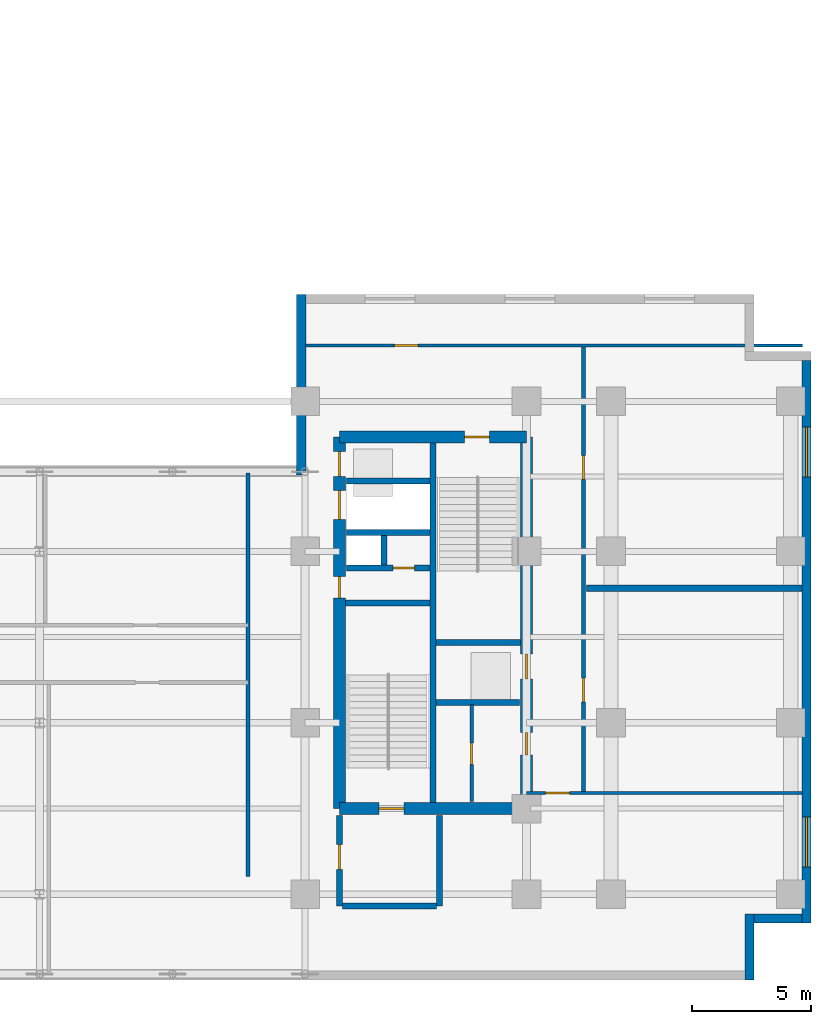
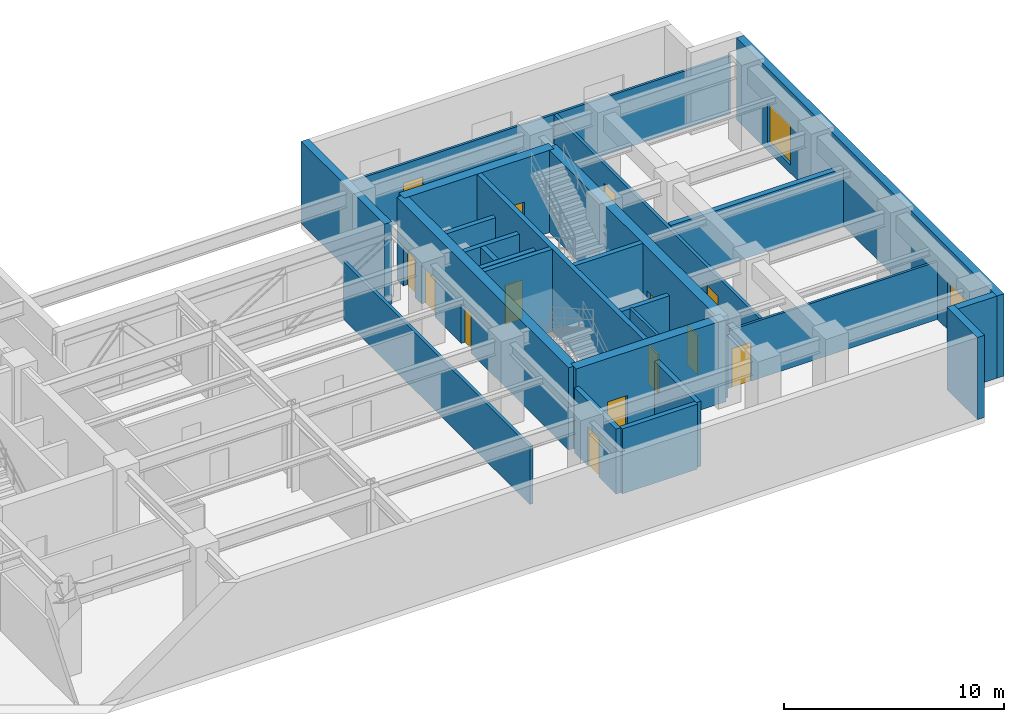
# One storey, part 13 of 18: 25 walls, 14 doors, 2 windows, 16 openings.
"""IFC4 building model written with IfcOpenShell, lengths in metres."""

from ifc_helpers import new_model, entity, si_unit, converted_unit, direction, frame, origin_with_axes, origin_2d_with_axis, place, context, subcontext, project, spatial, polyline, rectangle, outline, extrude, material, layer, layer_set, type_object, element, fill, save


model = new_model("IFC4")

# Units and contexts
model_context = context("Model", 3, precision=1e-05, world=origin_with_axes(), true_north=direction((0.0, 1.0)))
body_context = subcontext(model_context, "Body", "Model", "MODEL_VIEW")
ifc_project = project(units=[si_unit("LENGTHUNIT", "METRE"), si_unit("AREAUNIT", "SQUARE_METRE"), si_unit("VOLUMEUNIT", "CUBIC_METRE"), converted_unit("PLANEANGLEUNIT", "DEGREE", entity("IfcPlaneAngleMeasure", 0.017453292519943295), si_unit("PLANEANGLEUNIT", "RADIAN"), dimensions=[0, 0, 0, 0, 0, 0, 0]), si_unit("MASSUNIT", "GRAM", prefix="KILO"), si_unit("THERMODYNAMICTEMPERATUREUNIT", "KELVIN")], contexts=[model_context])

# Site, building, storey
site_placement = place(None, origin_with_axes())
site = spatial("IfcSite", under=ifc_project, at=site_placement, CompositionType="ELEMENT")
building_placement = place(site_placement, origin_with_axes())
building = spatial("IfcBuilding", under=site, at=building_placement, Name="Varnlund Millrace Tower", CompositionType="ELEMENT")
storey_placement = place(building_placement, frame((0.0, 0.0, 124.2), z_axis=(0.0, 0.0, 1.0), x_axis=(1.0, 0.0, 0.0)))
storey = spatial("IfcBuildingStorey", under=building, at=storey_placement, Name="L30", CompositionType="ELEMENT", Elevation=124.2)

# Wall, openings, doors
ifc_material_1 = material(Name="Concrete C70/85", Category="concrete")
ifc_layer_1 = layer(ifc_material_1, 0.5, Name="Concrete C70/85")
ifc_layer_set_1 = layer_set([ifc_layer_1], Name="Concrete C70/85")
wall_type_1 = type_object("IfcWallType", Name="Type-CoreWall-Shear-500-C70", PredefinedType="SHEAR", material=ifc_layer_set_1)
wall_1_placement = place(storey_placement, frame((40.2, 7.2, 0.0), z_axis=(0.0, 0.0, 1.0), x_axis=(0.0, 1.0, 0.0)))
wall_1 = element("IfcWall", 1, at=wall_1_placement, inside=storey, type_object=wall_type_1, Name="Type-CoreWall-Shear-500-C70", PredefinedType="SHEAR", context=body_context, shape_type="SweptSolid", body=[
    extrude(outline(polyline([(0.0, -0.25), (15.6, -0.25), (15.6, 0.25), (0.0, 0.25), (0.0, -0.25)])), origin_with_axes(), (0.0, 0.0, 1.0), 4.56),
])
opening_1_placement = place(wall_1_placement, frame((14.475, 0.0, 0.0), z_axis=(0.0, 0.0, 1.0), x_axis=(1.0, 0.0, 0.0)))
opening_1 = element("IfcOpeningElement", 2, at=opening_1_placement, cuts=wall_1, Name="Opening L30:LD-ELV-M4", PredefinedType="OPENING", context=body_context, shape_type="SweptSolid", body=[
    extrude(rectangle(XDim=1.05, YDim=0.52, at=origin_2d_with_axis()), origin_with_axes(), (0.0, 0.0, 1.0), 2.15),
])
opening_2_placement = place(wall_1_placement, frame((12.75, 0.0, 0.0), z_axis=(0.0, 0.0, 1.0), x_axis=(1.0, 0.0, 0.0)))
opening_2 = element("IfcOpeningElement", 3, at=opening_2_placement, cuts=wall_1, Name="Opening L30:LD-SRV2", PredefinedType="OPENING", context=body_context, shape_type="SweptSolid", body=[
    extrude(rectangle(XDim=1.2, YDim=0.52, at=origin_2d_with_axis()), origin_with_axes(), (0.0, 0.0, 1.0), 2.15),
])
opening_3_placement = place(wall_1_placement, frame((9.3, 0.0, 0.0), z_axis=(0.0, 0.0, 1.0), x_axis=(1.0, 0.0, 0.0)))
opening_3 = element("IfcOpeningElement", 4, at=opening_3_placement, cuts=wall_1, Name="Opening L30:DR-CB-JAN", PredefinedType="OPENING", context=body_context, shape_type="SweptSolid", body=[
    extrude(rectangle(XDim=0.9, YDim=0.52, at=origin_2d_with_axis()), origin_with_axes(), (0.0, 0.0, 1.0), 2.15),
])
ifc_material_2 = material(Name="Fire-rated hollow steel service closet door", Category="steel")
door_type_1 = type_object("IfcDoorType", Name="Type-FireDoor-Closet-900X2150", OperationType="NOTDEFINED", PredefinedType="DOOR", material=ifc_material_2)
door_1_placement = place(wall_1_placement, frame((9.3, 0.0, 0.0), z_axis=(0.0, 0.0, 1.0), x_axis=(1.0, 0.0, 0.0)))
door_1 = element("IfcDoor", 5, at=door_1_placement, inside=storey, type_object=door_type_1, Name="Type-FireDoor-Closet-900X2150", OperationType="SINGLE_SWING_RIGHT", OverallHeight=2.15, OverallWidth=0.9, PredefinedType="DOOR", context=body_context, shape_type="SweptSolid", body=[
    extrude(rectangle(XDim=0.9, YDim=0.09, at=origin_2d_with_axis()), origin_with_axes(), (0.0, 0.0, 1.0), 2.15),
])
fill(opening_3, door_1)
ifc_material_3 = material(Name="Architectural bronze sliding landing door")
door_type_2 = type_object("IfcDoorType", Name="Type-LiftLandingDoor-Compact-1050X2150", OperationType="NOTDEFINED", PredefinedType="DOOR", material=ifc_material_3)
door_2_placement = place(wall_1_placement, frame((14.475, 0.0, 0.0), z_axis=(0.0, 0.0, 1.0), x_axis=(1.0, 0.0, 0.0)))
door_2 = element("IfcDoor", 6, at=door_2_placement, inside=storey, type_object=door_type_2, Name="Type-LiftLandingDoor-Compact-1050X2150", OperationType="SLIDING_TO_RIGHT", OverallHeight=2.15, OverallWidth=1.05, PredefinedType="DOOR", context=body_context, shape_type="SweptSolid", body=[
    extrude(rectangle(XDim=1.05, YDim=0.09, at=origin_2d_with_axis()), origin_with_axes(), (0.0, 0.0, 1.0), 2.15),
])
fill(opening_1, door_2)
ifc_material_4 = material(Name="Heavy-duty freight sliding landing door")
door_type_3 = type_object("IfcDoorType", Name="Type-LiftLandingDoor-Service-1200X2150", OperationType="NOTDEFINED", PredefinedType="DOOR", material=ifc_material_4)
door_3_placement = place(wall_1_placement, frame((12.75, 0.0, 0.0), z_axis=(0.0, 0.0, 1.0), x_axis=(1.0, 0.0, 0.0)))
door_3 = element("IfcDoor", 7, at=door_3_placement, inside=storey, type_object=door_type_3, Name="Type-LiftLandingDoor-Service-1200X2150", OperationType="DOUBLE_DOOR_SLIDING", OverallHeight=2.15, OverallWidth=1.2, PredefinedType="DOOR", context=body_context, shape_type="SweptSolid", body=[
    extrude(rectangle(XDim=1.2, YDim=0.09, at=origin_2d_with_axis()), origin_with_axes(), (0.0, 0.0, 1.0), 2.15),
])
fill(opening_2, door_3)

# Wall, opening, door
wall_2_placement = place(storey_placement, frame((40.2, 7.2, 0.0), z_axis=(0.0, 0.0, 1.0), x_axis=(1.0, 0.0, 0.0)))
wall_2 = element("IfcWall", 8, at=wall_2_placement, inside=storey, type_object=wall_type_1, Name="Type-CoreWall-Shear-500-C70", PredefinedType="SHEAR", context=body_context, shape_type="SweptSolid", body=[
    extrude(outline(polyline([(0.0, -0.25), (7.85, -0.25), (7.85, 0.25), (0.0, 0.25), (0.0, -0.25)])), origin_with_axes(), (0.0, 0.0, 1.0), 4.56),
])
opening_4_placement = place(wall_2_placement, frame((2.175, 0.0, 0.0), z_axis=(0.0, 0.0, 1.0), x_axis=(1.0, 0.0, 0.0)))
opening_4 = element("IfcOpeningElement", 9, at=opening_4_placement, cuts=wall_2, Name="Opening L30:DR-STB1", PredefinedType="OPENING", context=body_context, shape_type="SweptSolid", body=[
    extrude(rectangle(XDim=1.05, YDim=0.52, at=origin_2d_with_axis()), origin_with_axes(), (0.0, 0.0, 1.0), 2.15),
])
ifc_material_5 = material(Name="Fire-rated hollow steel door", Category="steel")
door_type_4 = type_object("IfcDoorType", Name="Type-FireDoor-Stair-1050X2150", OperationType="NOTDEFINED", PredefinedType="DOOR", material=ifc_material_5)
door_4_placement = place(wall_2_placement, frame((2.175, 0.0, 0.0), z_axis=(0.0, 0.0, 1.0), x_axis=(1.0, 0.0, 0.0)))
door_4 = element("IfcDoor", 10, at=door_4_placement, inside=storey, type_object=door_type_4, Name="Type-FireDoor-Stair-1050X2150", OperationType="SINGLE_SWING_LEFT", OverallHeight=2.15, OverallWidth=1.05, PredefinedType="DOOR", context=body_context, shape_type="SweptSolid", body=[
    extrude(rectangle(XDim=1.05, YDim=0.09, at=origin_2d_with_axis()), origin_with_axes(), (0.0, 0.0, 1.0), 2.15),
])
fill(opening_4, door_4)

wall_3_placement = place(storey_placement, frame((40.2, 22.8, 0.0), z_axis=(0.0, 0.0, 1.0), x_axis=(1.0, 0.0, 0.0)))
wall_3 = element("IfcWall", 11, at=wall_3_placement, inside=storey, type_object=wall_type_1, Name="Type-CoreWall-Shear-500-C70", PredefinedType="SHEAR", context=body_context, shape_type="SweptSolid", body=[
    extrude(outline(polyline([(0.0, -0.25), (7.85, -0.25), (7.85, 0.25), (0.0, 0.25), (0.0, -0.25)])), origin_with_axes(), (0.0, 0.0, 1.0), 4.56),
])
opening_5_placement = place(wall_3_placement, frame((5.775, 0.0, 0.0), z_axis=(0.0, 0.0, 1.0), x_axis=(1.0, 0.0, 0.0)))
opening_5 = element("IfcOpeningElement", 12, at=opening_5_placement, cuts=wall_3, Name="Opening L30:DR-STB2", PredefinedType="OPENING", context=body_context, shape_type="SweptSolid", body=[
    extrude(rectangle(XDim=1.05, YDim=0.52, at=origin_2d_with_axis()), origin_with_axes(), (0.0, 0.0, 1.0), 2.15),
])
door_5_placement = place(wall_3_placement, frame((5.775, 0.0, 0.0), z_axis=(0.0, 0.0, 1.0), x_axis=(1.0, 0.0, 0.0)))
door_5 = element("IfcDoor", 13, at=door_5_placement, inside=storey, type_object=door_type_4, Name="Type-FireDoor-Stair-1050X2150", OperationType="SINGLE_SWING_RIGHT", OverallHeight=2.15, OverallWidth=1.05, PredefinedType="DOOR", context=body_context, shape_type="SweptSolid", body=[
    extrude(rectangle(XDim=1.05, YDim=0.09, at=origin_2d_with_axis()), origin_with_axes(), (0.0, 0.0, 1.0), 2.15),
])
fill(opening_5, door_5)

# Wall, openings, doors
wall_4_placement = place(storey_placement, frame((48.05, 7.2, 0.0), z_axis=(0.0, 0.0, 1.0), x_axis=(0.0, 1.0, 0.0)))
wall_4 = element("IfcWall", 14, at=wall_4_placement, inside=storey, type_object=wall_type_1, Name="Type-CoreWall-Shear-500-C70", PredefinedType="SHEAR", context=body_context, shape_type="SweptSolid", body=[
    extrude(outline(polyline([(0.0, -0.25), (15.6, -0.25), (15.6, 0.25), (0.0, 0.25), (0.0, -0.25)])), origin_with_axes(), (0.0, 0.0, 1.0), 4.56),
])
opening_6_placement = place(wall_4_placement, frame((5.975, 0.0, 0.0), z_axis=(0.0, 0.0, 1.0), x_axis=(1.0, 0.0, 0.0)))
opening_6 = element("IfcOpeningElement", 15, at=opening_6_placement, cuts=wall_4, Name="Opening L30:LD-ELV-M3", PredefinedType="OPENING", context=body_context, shape_type="SweptSolid", body=[
    extrude(rectangle(XDim=1.05, YDim=0.52, at=origin_2d_with_axis()), origin_with_axes(), (0.0, 0.0, 1.0), 2.15),
])
opening_7_placement = place(wall_4_placement, frame((2.725, 0.0, 0.0), z_axis=(0.0, 0.0, 1.0), x_axis=(1.0, 0.0, 0.0)))
opening_7 = element("IfcOpeningElement", 16, at=opening_7_placement, cuts=wall_4, Name="Opening L30:DR-CB-WC2", PredefinedType="OPENING", context=body_context, shape_type="SweptSolid", body=[
    extrude(rectangle(XDim=0.95, YDim=0.52, at=origin_2d_with_axis()), origin_with_axes(), (0.0, 0.0, 1.0), 2.15),
])
ifc_material_6 = material(Name="Fire-rated hollow steel core service door", Category="steel")
door_type_5 = type_object("IfcDoorType", Name="Type-FireDoor-Service-950X2150", OperationType="NOTDEFINED", PredefinedType="DOOR", material=ifc_material_6)
door_6_placement = place(wall_4_placement, frame((2.725, 0.0, 0.0), z_axis=(0.0, 0.0, 1.0), x_axis=(1.0, 0.0, 0.0)))
door_6 = element("IfcDoor", 17, at=door_6_placement, inside=storey, type_object=door_type_5, Name="Type-FireDoor-Service-950X2150", OperationType="SINGLE_SWING_LEFT", OverallHeight=2.15, OverallWidth=0.95, PredefinedType="DOOR", context=body_context, shape_type="SweptSolid", body=[
    extrude(rectangle(XDim=0.95, YDim=0.09, at=origin_2d_with_axis()), origin_with_axes(), (0.0, 0.0, 1.0), 2.15),
])
fill(opening_7, door_6)
door_7_placement = place(wall_4_placement, frame((5.975, 0.0, 0.0), z_axis=(0.0, 0.0, 1.0), x_axis=(1.0, 0.0, 0.0)))
door_7 = element("IfcDoor", 18, at=door_7_placement, inside=storey, type_object=door_type_2, Name="Type-LiftLandingDoor-Compact-1050X2150", OperationType="SLIDING_TO_LEFT", OverallHeight=2.15, OverallWidth=1.05, PredefinedType="DOOR", context=body_context, shape_type="SweptSolid", body=[
    extrude(rectangle(XDim=1.05, YDim=0.09, at=origin_2d_with_axis()), origin_with_axes(), (0.0, 0.0, 1.0), 2.15),
])
fill(opening_6, door_7)

# Wall
ifc_material_7 = material(Name="Precast concrete C50/60", Category="concrete")
ifc_layer_2 = layer(ifc_material_7, 0.38, Name="Precast concrete C50/60")
ifc_layer_set_2 = layer_set([ifc_layer_2], Name="Precast concrete C50/60")
wall_type_2 = type_object("IfcWallType", Name="Type-ExtWall-Precast-Tube-380", PredefinedType="SOLIDWALL", material=ifc_layer_set_2)
wall_5_placement = place(storey_placement, frame((38.59, 21.22, 0.0), z_axis=(0.0, 0.0, 1.0), x_axis=(0.0, 1.0, 0.0)))
element("IfcWall", 19, at=wall_5_placement, inside=storey, type_object=wall_type_2, Name="Type-ExtWall-Precast-Tube-380", PredefinedType="SOLIDWALL", context=body_context, shape_type="SweptSolid", body=[
    extrude(outline(polyline([(0.0, -0.19), (7.58, -0.19), (7.58, 0.19), (0.0, 0.19), (0.0, -0.19)])), origin_with_axes(), (0.0, 0.0, 1.0), 4.56),
])

# Wall, openings, windows
wall_6_placement = place(storey_placement, frame((59.81, 26.02, 0.0), z_axis=(0.0, 0.0, 1.0), x_axis=(0.0, -1.0, 0.0)))
wall_6 = element("IfcWall", 20, at=wall_6_placement, inside=storey, type_object=wall_type_2, Name="Type-ExtWall-Precast-Tube-380", PredefinedType="SOLIDWALL", context=body_context, shape_type="SweptSolid", body=[
    extrude(outline(polyline([(0.0, -0.19), (23.62, -0.19), (23.62, 0.19), (0.0, 0.19), (0.0, -0.19)])), origin_with_axes(), (0.0, 0.0, 1.0), 4.56),
])
opening_8_placement = place(wall_6_placement, frame((3.853, 0.0, 0.45), z_axis=(0.0, 0.0, 1.0), x_axis=(1.0, 0.0, 0.0)))
opening_8 = element("IfcOpeningElement", 21, at=opening_8_placement, cuts=wall_6, Name="Opening L30:WN-04", PredefinedType="OPENING", context=body_context, shape_type="SweptSolid", body=[
    extrude(rectangle(XDim=2.1, YDim=0.4, at=origin_2d_with_axis()), origin_with_axes(), (0.0, 0.0, 1.0), 2.2),
])
opening_9_placement = place(wall_6_placement, frame((20.218, 0.0, 0.45), z_axis=(0.0, 0.0, 1.0), x_axis=(1.0, 0.0, 0.0)))
opening_9 = element("IfcOpeningElement", 22, at=opening_9_placement, cuts=wall_6, Name="Opening L30:WN-05", PredefinedType="OPENING", context=body_context, shape_type="SweptSolid", body=[
    extrude(rectangle(XDim=2.1, YDim=0.4, at=origin_2d_with_axis()), origin_with_axes(), (0.0, 0.0, 1.0), 2.2),
])
ifc_material_8 = material(Name="Argon low-e triple glazing in thermally broken bronze frame", Category="glass")
window_type = type_object("IfcWindowType", Name="Type-Window-Punched-2100X2200", PartitioningType="SINGLE_PANEL", PredefinedType="WINDOW", material=ifc_material_8)
window_1_placement = place(wall_6_placement, frame((3.853, 0.0, 0.45), z_axis=(0.0, 0.0, 1.0), x_axis=(1.0, 0.0, 0.0)))
window_1 = element("IfcWindow", 23, at=window_1_placement, inside=storey, type_object=window_type, Name="Type-Window-Punched-2100X2200", OverallHeight=2.2, OverallWidth=2.1, PredefinedType="WINDOW", context=body_context, shape_type="SweptSolid", body=[
    extrude(rectangle(XDim=2.1, YDim=0.09, at=origin_2d_with_axis()), origin_with_axes(), (0.0, 0.0, 1.0), 2.2),
])
fill(opening_8, window_1)
window_2_placement = place(wall_6_placement, frame((20.218, 0.0, 0.45), z_axis=(0.0, 0.0, 1.0), x_axis=(1.0, 0.0, 0.0)))
window_2 = element("IfcWindow", 24, at=window_2_placement, inside=storey, type_object=window_type, Name="Type-Window-Punched-2100X2200", OverallHeight=2.2, OverallWidth=2.1, PredefinedType="WINDOW", context=body_context, shape_type="SweptSolid", body=[
    extrude(rectangle(XDim=2.1, YDim=0.09, at=origin_2d_with_axis()), origin_with_axes(), (0.0, 0.0, 1.0), 2.2),
])
fill(opening_9, window_2)

# Walls
wall_7_placement = place(storey_placement, frame((59.62, 2.59, 0.0), z_axis=(0.0, 0.0, 1.0), x_axis=(-1.0, 0.0, 0.0)))
element("IfcWall", 25, at=wall_7_placement, inside=storey, type_object=wall_type_2, Name="Type-ExtWall-Precast-Tube-380", PredefinedType="SOLIDWALL", context=body_context, shape_type="SweptSolid", body=[
    extrude(outline(polyline([(0.0, -0.19), (2.02, -0.19), (2.02, 0.19), (0.0, 0.19), (0.0, -0.19)])), origin_with_axes(), (0.0, 0.0, 1.0), 4.56),
])
wall_8_placement = place(storey_placement, frame((57.41, 2.78, 0.0), z_axis=(0.0, 0.0, 1.0), x_axis=(0.0, -1.0, 0.0)))
element("IfcWall", 26, at=wall_8_placement, inside=storey, type_object=wall_type_2, Name="Type-ExtWall-Precast-Tube-380", PredefinedType="SOLIDWALL", context=body_context, shape_type="SweptSolid", body=[
    extrude(outline(polyline([(0.0, -0.19), (2.78, -0.19), (2.78, 0.19), (0.0, 0.19), (0.0, -0.19)])), origin_with_axes(), (0.0, 0.0, 1.0), 4.56),
])
ifc_material_9 = material(Name="Double-stud STC-60 conference acoustic partition", Category="gypsum")
ifc_layer_3 = layer(ifc_material_9, 0.28, Name="Double-stud STC-60 conference acoustic partition")
ifc_layer_set_3 = layer_set([ifc_layer_3], Name="Double-stud STC-60 conference acoustic partition")
wall_type_3 = type_object("IfcWallType", Name="Type-Partition-Acoustic-280", PredefinedType="PARTITIONING", material=ifc_layer_set_3)
wall_9_placement = place(storey_placement, frame((50.57, 16.451, 0.0), z_axis=(0.0, 0.0, 1.0), x_axis=(1.0, 0.0, 0.0)))
element("IfcWall", 27, at=wall_9_placement, inside=storey, type_object=wall_type_3, Name="Type-Partition-Acoustic-280", PredefinedType="PARTITIONING", context=body_context, shape_type="SweptSolid", body=[
    extrude(outline(polyline([(0.0, -0.14), (9.055, -0.14), (9.055, 0.14), (0.0, 0.14), (0.0, -0.14)])), origin_with_axes(), (0.0, 0.0, 1.0), 3.2),
])
ifc_material_10 = material(Name="Fire-rated gypsum board on cold-formed steel framing", Category="steel")
ifc_layer_4 = layer(ifc_material_10, 0.16, Name="Fire-rated gypsum board on cold-formed steel framing")
ifc_layer_set_4 = layer_set([ifc_layer_4], Name="Fire-rated gypsum board on cold-formed steel framing")
wall_type_4 = type_object("IfcWallType", Name="Type-Partition-Corridor-160", PredefinedType="PARTITIONING", material=ifc_layer_set_4)
wall_10_placement = place(storey_placement, frame((36.35, 4.35, 0.0), z_axis=(0.0, 0.0, 1.0), x_axis=(0.0, 1.0, 0.0)))
element("IfcWall", 28, at=wall_10_placement, inside=storey, type_object=wall_type_4, Name="Type-Partition-Corridor-160", PredefinedType="PARTITIONING", context=body_context, shape_type="SweptSolid", body=[
    extrude(outline(polyline([(0.0, -0.08), (16.95, -0.08), (16.95, 0.08), (0.0, 0.08), (0.0, -0.08)])), origin_with_axes(), (0.0, 0.0, 1.0), 3.2),
])

# Wall, openings, doors
wall_11_placement = place(storey_placement, frame((50.45, 7.85, 0.0), z_axis=(0.0, 0.0, 1.0), x_axis=(0.0, 1.0, 0.0)))
wall_11 = element("IfcWall", 29, at=wall_11_placement, inside=storey, type_object=wall_type_4, Name="Type-Partition-Corridor-160", PredefinedType="PARTITIONING", context=body_context, shape_type="SweptSolid", body=[
    extrude(outline(polyline([(0.0, -0.08), (18.8, -0.08), (18.8, 0.08), (0.0, 0.08), (0.0, -0.08)])), origin_with_axes(), (0.0, 0.0, 1.0), 3.2),
])
opening_10_placement = place(wall_11_placement, frame((4.3305, 0.0, 0.0), z_axis=(0.0, 0.0, 1.0), x_axis=(1.0, 0.0, 0.0)))
opening_10 = element("IfcOpeningElement", 30, at=opening_10_placement, cuts=wall_11, Name="Opening L30:DR-WB-01", PredefinedType="OPENING", context=body_context, shape_type="SweptSolid", body=[
    extrude(rectangle(XDim=1.0, YDim=0.18, at=origin_2d_with_axis()), origin_with_axes(), (0.0, 0.0, 1.0), 2.15),
])
opening_11_placement = place(wall_11_placement, frame((13.6705, 0.0, 0.0), z_axis=(0.0, 0.0, 1.0), x_axis=(1.0, 0.0, 0.0)))
opening_11 = element("IfcOpeningElement", 31, at=opening_11_placement, cuts=wall_11, Name="Opening L30:DR-WB-02", PredefinedType="OPENING", context=body_context, shape_type="SweptSolid", body=[
    extrude(rectangle(XDim=1.0, YDim=0.18, at=origin_2d_with_axis()), origin_with_axes(), (0.0, 0.0, 1.0), 2.15),
])
ifc_material_11 = material(Name="Solid-core white oak and bronze frame door")
door_type_6 = type_object("IfcDoorType", Name="Type-IntDoor-Office-1000X2150", OperationType="NOTDEFINED", PredefinedType="DOOR", material=ifc_material_11)
door_8_placement = place(wall_11_placement, frame((4.3305, 0.0, 0.0), z_axis=(0.0, 0.0, 1.0), x_axis=(1.0, 0.0, 0.0)))
door_8 = element("IfcDoor", 32, at=door_8_placement, inside=storey, type_object=door_type_6, Name="Type-IntDoor-Office-1000X2150", OperationType="SINGLE_SWING_LEFT", OverallHeight=2.15, OverallWidth=1.0, PredefinedType="DOOR", context=body_context, shape_type="SweptSolid", body=[
    extrude(rectangle(XDim=1.0, YDim=0.09, at=origin_2d_with_axis()), origin_with_axes(), (0.0, 0.0, 1.0), 2.15),
])
fill(opening_10, door_8)
door_9_placement = place(wall_11_placement, frame((13.6705, 0.0, 0.0), z_axis=(0.0, 0.0, 1.0), x_axis=(1.0, 0.0, 0.0)))
door_9 = element("IfcDoor", 33, at=door_9_placement, inside=storey, type_object=door_type_6, Name="Type-IntDoor-Office-1000X2150", OperationType="SINGLE_SWING_RIGHT", OverallHeight=2.15, OverallWidth=1.0, PredefinedType="DOOR", context=body_context, shape_type="SweptSolid", body=[
    extrude(rectangle(XDim=1.0, YDim=0.09, at=origin_2d_with_axis()), origin_with_axes(), (0.0, 0.0, 1.0), 2.15),
])
fill(opening_11, door_9)

# Wall, opening, door
ifc_material_12 = material(Name="Gypsum board tenant partition", Category="gypsum")
ifc_layer_5 = layer(ifc_material_12, 0.125, Name="Gypsum board tenant partition")
ifc_layer_set_5 = layer_set([ifc_layer_5], Name="Gypsum board tenant partition")
wall_type_5 = type_object("IfcWallType", Name="Type-Partition-Tenant-125", PredefinedType="PARTITIONING", material=ifc_layer_set_5)
wall_12_placement = place(storey_placement, frame((59.64, 7.85, 0.0), z_axis=(0.0, 0.0, 1.0), x_axis=(-1.0, 0.0, 0.0)))
wall_12 = element("IfcWall", 34, at=wall_12_placement, inside=storey, type_object=wall_type_5, Name="Type-Partition-Tenant-125", PredefinedType="PARTITIONING", context=body_context, shape_type="SweptSolid", body=[
    extrude(outline(polyline([(0.0, -0.0625), (11.59, -0.0625), (11.59, 0.0625), (0.0, 0.0625), (0.0, -0.0625)])), origin_with_axes(), (0.0, 0.0, 1.0), 3.2),
])
opening_12_placement = place(wall_12_placement, frame((10.29, 0.0, 0.0), z_axis=(0.0, 0.0, 1.0), x_axis=(1.0, 0.0, 0.0)))
opening_12 = element("IfcOpeningElement", 35, at=opening_12_placement, cuts=wall_12, Name="Opening L30:DR-WBS-01", PredefinedType="OPENING", context=body_context, shape_type="SweptSolid", body=[
    extrude(rectangle(XDim=1.0, YDim=0.145, at=origin_2d_with_axis()), origin_with_axes(), (0.0, 0.0, 1.0), 2.15),
])
door_10_placement = place(wall_12_placement, frame((10.29, 0.0, 0.0), z_axis=(0.0, 0.0, 1.0), x_axis=(1.0, 0.0, 0.0)))
door_10 = element("IfcDoor", 36, at=door_10_placement, inside=storey, type_object=door_type_6, Name="Type-IntDoor-Office-1000X2150", OperationType="SINGLE_SWING_LEFT", OverallHeight=2.15, OverallWidth=1.0, PredefinedType="DOOR", context=body_context, shape_type="SweptSolid", body=[
    extrude(rectangle(XDim=1.0, YDim=0.075, at=origin_2d_with_axis()), origin_with_axes(), (0.0, 0.0, 1.0), 2.15),
])
fill(opening_12, door_10)

wall_13_placement = place(storey_placement, frame((38.76, 26.65, 0.0), z_axis=(0.0, 0.0, 1.0), x_axis=(1.0, 0.0, 0.0)))
wall_13 = element("IfcWall", 37, at=wall_13_placement, inside=storey, type_object=wall_type_5, Name="Type-Partition-Tenant-125", PredefinedType="PARTITIONING", context=body_context, shape_type="SweptSolid", body=[
    extrude(outline(polyline([(0.0, -0.0625), (20.88, -0.0625), (20.88, 0.0625), (0.0, 0.0625), (0.0, -0.0625)])), origin_with_axes(), (0.0, 0.0, 1.0), 3.2),
])
opening_13_placement = place(wall_13_placement, frame((4.24, 0.0, 0.0), z_axis=(0.0, 0.0, 1.0), x_axis=(1.0, 0.0, 0.0)))
opening_13 = element("IfcOpeningElement", 38, at=opening_13_placement, cuts=wall_13, Name="Opening L30:DR-WBN-01", PredefinedType="OPENING", context=body_context, shape_type="SweptSolid", body=[
    extrude(rectangle(XDim=1.0, YDim=0.145, at=origin_2d_with_axis()), origin_with_axes(), (0.0, 0.0, 1.0), 2.15),
])
door_11_placement = place(wall_13_placement, frame((4.24, 0.0, 0.0), z_axis=(0.0, 0.0, 1.0), x_axis=(1.0, 0.0, 0.0)))
door_11 = element("IfcDoor", 39, at=door_11_placement, inside=storey, type_object=door_type_6, Name="Type-IntDoor-Office-1000X2150", OperationType="SINGLE_SWING_RIGHT", OverallHeight=2.15, OverallWidth=1.0, PredefinedType="DOOR", context=body_context, shape_type="SweptSolid", body=[
    extrude(rectangle(XDim=1.0, YDim=0.075, at=origin_2d_with_axis()), origin_with_axes(), (0.0, 0.0, 1.0), 2.15),
])
fill(opening_13, door_11)

ifc_material_13 = material(Name="Moisture-resistant gypsum restroom partition", Category="gypsum")
ifc_layer_6 = layer(ifc_material_13, 0.14, Name="Moisture-resistant gypsum restroom partition")
ifc_layer_set_6 = layer_set([ifc_layer_6], Name="Moisture-resistant gypsum restroom partition")
wall_type_6 = type_object("IfcWallType", Name="Type-Partition-Wet-140", PredefinedType="PARTITIONING", material=ifc_layer_set_6)
wall_14_placement = place(storey_placement, frame((45.75, 7.5, 0.0), z_axis=(0.0, 0.0, 1.0), x_axis=(0.0, 1.0, 0.0)))
wall_14 = element("IfcWall", 40, at=wall_14_placement, inside=storey, type_object=wall_type_6, Name="Type-Partition-Wet-140", PredefinedType="PARTITIONING", context=body_context, shape_type="SweptSolid", body=[
    extrude(outline(polyline([(0.0, -0.07), (4.08, -0.07), (4.08, 0.07), (0.0, 0.07), (0.0, -0.07)])), origin_with_axes(), (0.0, 0.0, 1.0), 3.2),
])
opening_14_placement = place(wall_14_placement, frame((2.0, 0.0, 0.0), z_axis=(0.0, 0.0, 1.0), x_axis=(1.0, 0.0, 0.0)))
opening_14 = element("IfcOpeningElement", 41, at=opening_14_placement, cuts=wall_14, Name="Opening L30:DR-CB-WC1", PredefinedType="OPENING", context=body_context, shape_type="SweptSolid", body=[
    extrude(rectangle(XDim=0.9, YDim=0.16, at=origin_2d_with_axis()), origin_with_axes(), (0.0, 0.0, 1.0), 2.15),
])
ifc_material_14 = material(Name="Painted steel riser and closet door", Category="steel")
door_type_7 = type_object("IfcDoorType", Name="Type-IntDoor-Closet-900X2150", OperationType="NOTDEFINED", PredefinedType="DOOR", material=ifc_material_14)
door_12_placement = place(wall_14_placement, frame((2.0, 0.0, 0.0), z_axis=(0.0, 0.0, 1.0), x_axis=(1.0, 0.0, 0.0)))
door_12 = element("IfcDoor", 42, at=door_12_placement, inside=storey, type_object=door_type_7, Name="Type-IntDoor-Closet-900X2150", OperationType="SINGLE_SWING_LEFT", OverallHeight=2.15, OverallWidth=0.9, PredefinedType="DOOR", context=body_context, shape_type="SweptSolid", body=[
    extrude(rectangle(XDim=0.9, YDim=0.084, at=origin_2d_with_axis()), origin_with_axes(), (0.0, 0.0, 1.0), 2.15),
])
fill(opening_14, door_12)

ifc_material_15 = material(Name="Concrete C60/75", Category="concrete")
ifc_layer_7 = layer(ifc_material_15, 0.25, Name="Concrete C60/75")
ifc_layer_set_7 = layer_set([ifc_layer_7], Name="Concrete C60/75")
wall_type_7 = type_object("IfcWallType", Name="Type-ShaftWall-Fire-250", PredefinedType="SOLIDWALL", material=ifc_layer_set_7)
wall_15_placement = place(storey_placement, frame((40.5, 17.3, 0.0), z_axis=(0.0, 0.0, 1.0), x_axis=(1.0, 0.0, 0.0)))
wall_15 = element("IfcWall", 43, at=wall_15_placement, inside=storey, type_object=wall_type_7, Name="Type-ShaftWall-Fire-250", PredefinedType="SOLIDWALL", context=body_context, shape_type="SweptSolid", body=[
    extrude(outline(polyline([(0.0, -0.125), (3.5, -0.125), (3.5, 0.125), (0.0, 0.125), (0.0, -0.125)])), origin_with_axes(), (0.0, 0.0, 1.0), 3.6),
])
opening_15_placement = place(wall_15_placement, frame((2.4, 0.0, 0.0), z_axis=(0.0, 0.0, 1.0), x_axis=(1.0, 0.0, 0.0)))
opening_15 = element("IfcOpeningElement", 44, at=opening_15_placement, cuts=wall_15, Name="Opening L30:DR-CB-ELC", PredefinedType="OPENING", context=body_context, shape_type="SweptSolid", body=[
    extrude(rectangle(XDim=0.9, YDim=0.27, at=origin_2d_with_axis()), origin_with_axes(), (0.0, 0.0, 1.0), 2.15),
])
door_13_placement = place(wall_15_placement, frame((2.4, 0.0, 0.0), z_axis=(0.0, 0.0, 1.0), x_axis=(1.0, 0.0, 0.0)))
door_13 = element("IfcDoor", 45, at=door_13_placement, inside=storey, type_object=door_type_1, Name="Type-FireDoor-Closet-900X2150", OperationType="SINGLE_SWING_LEFT", OverallHeight=2.15, OverallWidth=0.9, PredefinedType="DOOR", context=body_context, shape_type="SweptSolid", body=[
    extrude(rectangle(XDim=0.9, YDim=0.09, at=origin_2d_with_axis()), origin_with_axes(), (0.0, 0.0, 1.0), 2.15),
])
fill(opening_15, door_13)

# Walls
wall_16_placement = place(storey_placement, frame((40.5, 18.8, 0.0), z_axis=(0.0, 0.0, 1.0), x_axis=(1.0, 0.0, 0.0)))
element("IfcWall", 46, at=wall_16_placement, inside=storey, type_object=wall_type_7, Name="Type-ShaftWall-Fire-250", PredefinedType="SOLIDWALL", context=body_context, shape_type="SweptSolid", body=[
    extrude(outline(polyline([(0.0, -0.125), (3.5, -0.125), (3.5, 0.125), (0.0, 0.125), (0.0, -0.125)])), origin_with_axes(), (0.0, 0.0, 1.0), 3.6),
])
wall_17_placement = place(storey_placement, frame((42.075, 17.43, 0.0), z_axis=(0.0, 0.0, 1.0), x_axis=(0.0, 1.0, 0.0)))
element("IfcWall", 47, at=wall_17_placement, inside=storey, type_object=wall_type_7, Name="Type-ShaftWall-Fire-250", PredefinedType="SOLIDWALL", context=body_context, shape_type="SweptSolid", body=[
    extrude(outline(polyline([(0.0, -0.125), (1.24, -0.125), (1.24, 0.125), (0.0, 0.125), (0.0, -0.125)])), origin_with_axes(), (0.0, 0.0, 1.0), 3.6),
])

# Wall, opening, door
wall_18_placement = place(storey_placement, frame((40.2, 3.1, 0.0), z_axis=(0.0, 0.0, 1.0), x_axis=(0.0, 1.0, 0.0)))
wall_18 = element("IfcWall", 48, at=wall_18_placement, inside=storey, type_object=wall_type_7, Name="Type-ShaftWall-Fire-250", PredefinedType="SOLIDWALL", context=body_context, shape_type="SweptSolid", body=[
    extrude(outline(polyline([(0.0, -0.125), (3.8, -0.125), (3.8, 0.125), (0.0, 0.125), (0.0, -0.125)])), origin_with_axes(), (0.0, 0.0, 1.0), 3.6),
])
opening_16_placement = place(wall_18_placement, frame((2.075, 0.0, 0.0), z_axis=(0.0, 0.0, 1.0), x_axis=(1.0, 0.0, 0.0)))
opening_16 = element("IfcOpeningElement", 49, at=opening_16_placement, cuts=wall_18, Name="Opening L30:DR-FFLOB-B", PredefinedType="OPENING", context=body_context, shape_type="SweptSolid", body=[
    extrude(rectangle(XDim=1.05, YDim=0.27, at=origin_2d_with_axis()), origin_with_axes(), (0.0, 0.0, 1.0), 2.15),
])
ifc_material_16 = material(Name="Smoke-barrier hollow steel fire door", Category="steel")
door_type_8 = type_object("IfcDoorType", Name="Type-FireDoor-Lobby-1050X2150", OperationType="NOTDEFINED", PredefinedType="DOOR", material=ifc_material_16)
door_14_placement = place(wall_18_placement, frame((2.075, 0.0, 0.0), z_axis=(0.0, 0.0, 1.0), x_axis=(1.0, 0.0, 0.0)))
door_14 = element("IfcDoor", 50, at=door_14_placement, inside=storey, type_object=door_type_8, Name="Type-FireDoor-Lobby-1050X2150", OperationType="SINGLE_SWING_LEFT", OverallHeight=2.15, OverallWidth=1.05, PredefinedType="DOOR", context=body_context, shape_type="SweptSolid", body=[
    extrude(rectangle(XDim=1.05, YDim=0.09, at=origin_2d_with_axis()), origin_with_axes(), (0.0, 0.0, 1.0), 2.15),
])
fill(opening_16, door_14)

# Walls
wall_19_placement = place(storey_placement, frame((40.325, 3.1, 0.0), z_axis=(0.0, 0.0, 1.0), x_axis=(1.0, 0.0, 0.0)))
element("IfcWall", 51, at=wall_19_placement, inside=storey, type_object=wall_type_7, Name="Type-ShaftWall-Fire-250", PredefinedType="SOLIDWALL", context=body_context, shape_type="SweptSolid", body=[
    extrude(outline(polyline([(0.0, -0.125), (3.95, -0.125), (3.95, 0.125), (0.0, 0.125), (0.0, -0.125)])), origin_with_axes(), (0.0, 0.0, 1.0), 3.6),
])
wall_20_placement = place(storey_placement, frame((44.4, 3.1, 0.0), z_axis=(0.0, 0.0, 1.0), x_axis=(0.0, 1.0, 0.0)))
element("IfcWall", 52, at=wall_20_placement, inside=storey, type_object=wall_type_7, Name="Type-ShaftWall-Fire-250", PredefinedType="SOLIDWALL", context=body_context, shape_type="SweptSolid", body=[
    extrude(outline(polyline([(0.0, -0.125), (3.8, -0.125), (3.8, 0.125), (0.0, 0.125), (0.0, -0.125)])), origin_with_axes(), (0.0, 0.0, 1.0), 3.6),
])
for number, where, z_axis, x_axis, name in (
    (53, (40.5, 20.96, 0.0), (0.0, 0.0, 1.0), (1.0, 0.0, 0.0), "Type-ShaftWall-Fire-250"),
    (54, (44.25, 11.66, 0.0), (0.0, 0.0, 1.0), (1.0, 0.0, 0.0), "Type-ShaftWall-Fire-250"),
):
    element("IfcWall", number, at=place(storey_placement, frame(where, z_axis=z_axis, x_axis=x_axis)), inside=storey, type_object=wall_type_7, Name=name, PredefinedType="SOLIDWALL", context=body_context, shape_type="SweptSolid", body=[
        extrude(outline(polyline([(0.0, -0.125), (3.5, -0.125), (3.5, 0.125), (0.0, 0.125), (0.0, -0.125)])), origin_with_axes(), (0.0, 0.0, 1.0), 3.2),
    ])
wall_type_8 = type_object("IfcWallType", Name="Type-StairWall-Shear-250", PredefinedType="SHEAR", material=ifc_layer_set_7)
wall_21_placement = place(storey_placement, frame((44.125, 7.45, 0.0), z_axis=(0.0, 0.0, 1.0), x_axis=(0.0, 1.0, 0.0)))
element("IfcWall", 55, at=wall_21_placement, inside=storey, type_object=wall_type_8, Name="Type-StairWall-Shear-250", PredefinedType="SHEAR", context=body_context, shape_type="SweptSolid", body=[
    extrude(outline(polyline([(0.0, -0.125), (15.1, -0.125), (15.1, 0.125), (0.0, 0.125), (0.0, -0.125)])), origin_with_axes(), (0.0, 0.0, 1.0), 4.56),
])
for number, where, z_axis, x_axis, name in (
    (56, (40.45, 15.825, 0.0), (0.0, 0.0, 1.0), (1.0, 0.0, 0.0), "Type-StairWall-Shear-250"),
    (57, (44.25, 14.175, 0.0), (0.0, 0.0, 1.0), (1.0, 0.0, 0.0), "Type-StairWall-Shear-250"),
):
    element("IfcWall", number, at=place(storey_placement, frame(where, z_axis=z_axis, x_axis=x_axis)), inside=storey, type_object=wall_type_8, Name=name, PredefinedType="SHEAR", context=body_context, shape_type="SweptSolid", body=[
        extrude(outline(polyline([(0.0, -0.125), (3.55, -0.125), (3.55, 0.125), (0.0, 0.125), (0.0, -0.125)])), origin_with_axes(), (0.0, 0.0, 1.0), 4.56),
    ])

save(model, "model.ifc")
